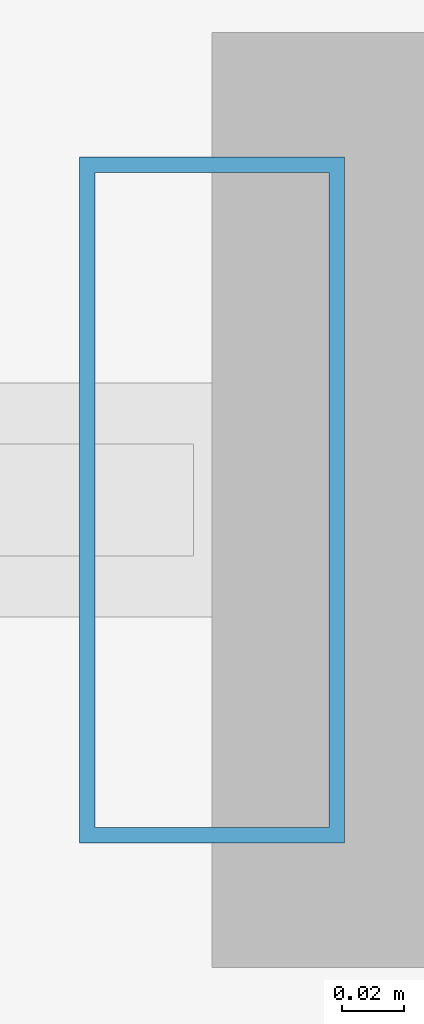
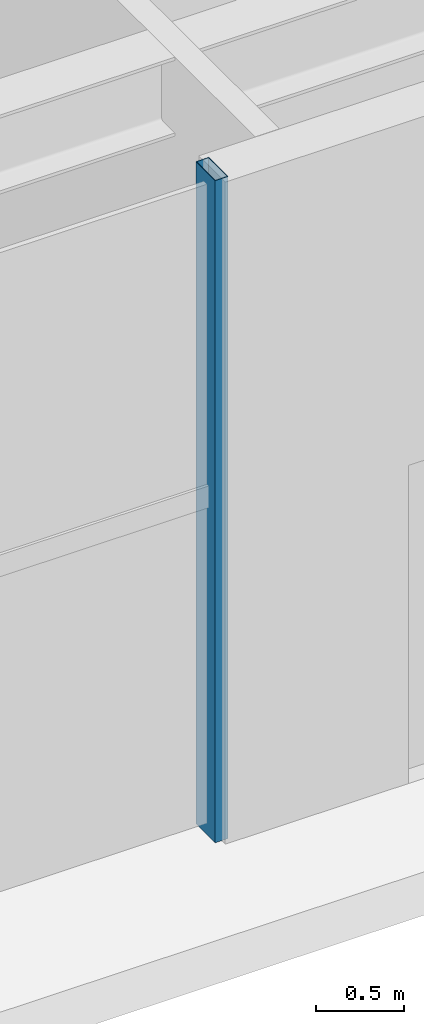
# One storey, part 6 of 31: 1 member, 1 element without a shape of its own.
"""IFC4 building model written with IfcOpenShell, lengths in metres."""

from ifc_helpers import new_model, si_unit, direction, frame, origin, origin_2d, place, context, subcontext, project, spatial, hollow_rectangle, extrude, source, transform, mapped, material, material_profile, profile_set, type_object, type_shapes, element, aggregate, save


model = new_model("IFC4")

# Units and contexts
model_context = context("Model", 3, precision=1e-05, world=origin(), true_north=direction((0.0, 1.0)))
body_context = subcontext(model_context, "Body", "Model", "MODEL_VIEW")
ifc_project = project(units=[si_unit("LENGTHUNIT", "METRE"), si_unit("AREAUNIT", "SQUARE_METRE"), si_unit("VOLUMEUNIT", "CUBIC_METRE"), si_unit("PLANEANGLEUNIT", "RADIAN"), si_unit("MASSUNIT", "GRAM", prefix="KILO")], contexts=[model_context])

# Site, building, storey
site_placement = place(None, origin())
site = spatial("IfcSite", under=ifc_project, at=site_placement, CompositionType="ELEMENT")
building_placement = place(site_placement, origin())
building = spatial("IfcBuilding", under=site, at=building_placement, Name="Astriad Promenade Condominiums", CompositionType="ELEMENT")
storey_placement = place(building_placement, origin())
storey = spatial("IfcBuildingStorey", under=building, at=storey_placement, Name="L00", CompositionType="ELEMENT", Elevation=0.0)

# Curtain wall, member
ifc_material_1 = material(Name="Anodised aluminium Black Dark Glass Unitised", Category="aluminium")
curtain_wall_type = type_object("IfcCurtainWallType", Name="CW-POD-DARK", PredefinedType="USERDEFINED", material=ifc_material_1)
curtain_wall_placement = place(storey_placement, origin())
curtain_wall = element("IfcCurtainWall", 1, at=curtain_wall_placement, inside=storey, type_object=curtain_wall_type, Name="CW-L00-SW", ObjectType="UNITISED_CURTAIN_WALL", PredefinedType="USERDEFINED")
ifc_material_2 = material(Name="Anodised aluminium 6063-T6 Black", Category="aluminium")
ifc_material_profile = material_profile(ifc_material_2, hollow_rectangle(XDim=0.0849609375, YDim=0.219970703125, WallThickness=0.0048828125, at=origin_2d()), Name="ALU-MUL-85X220")
ifc_profile_set = profile_set([ifc_material_profile], Name="Anodised aluminium 6063-T6 Black")
member_type = type_object("IfcMemberType", Name="MUL-ALU-MUL-85X220", PredefinedType="MULLION", material=ifc_profile_set)
shared_shape = source(origin(), body_context, "Body", "SweptSolid", [
    extrude(hollow_rectangle(XDim=0.0849609375, YDim=0.219970703125, WallThickness=0.0048828125, at=origin_2d()), origin(), (0.0, 0.0, 1.0), 4.580078125),
])
type_shapes(member_type, [shared_shape])
member_placement = place(storey_placement, frame((18.0, 0.949951171875, 0.0), z_axis=(0.0, 0.0, 1.0), x_axis=(1.0, 0.0, 0.0)))
member = element("IfcMember", 2, at=member_placement, type_object=member_type, Name="CW-L00-SW-MUL-00", PredefinedType="MULLION", context=body_context, shape_type="MappedRepresentation", body=[
    mapped(shared_shape, transform((0.0, 0.0, 0.0), scale=1.0)),
])
aggregate(curtain_wall, [member])

save(model, "model.ifc")
